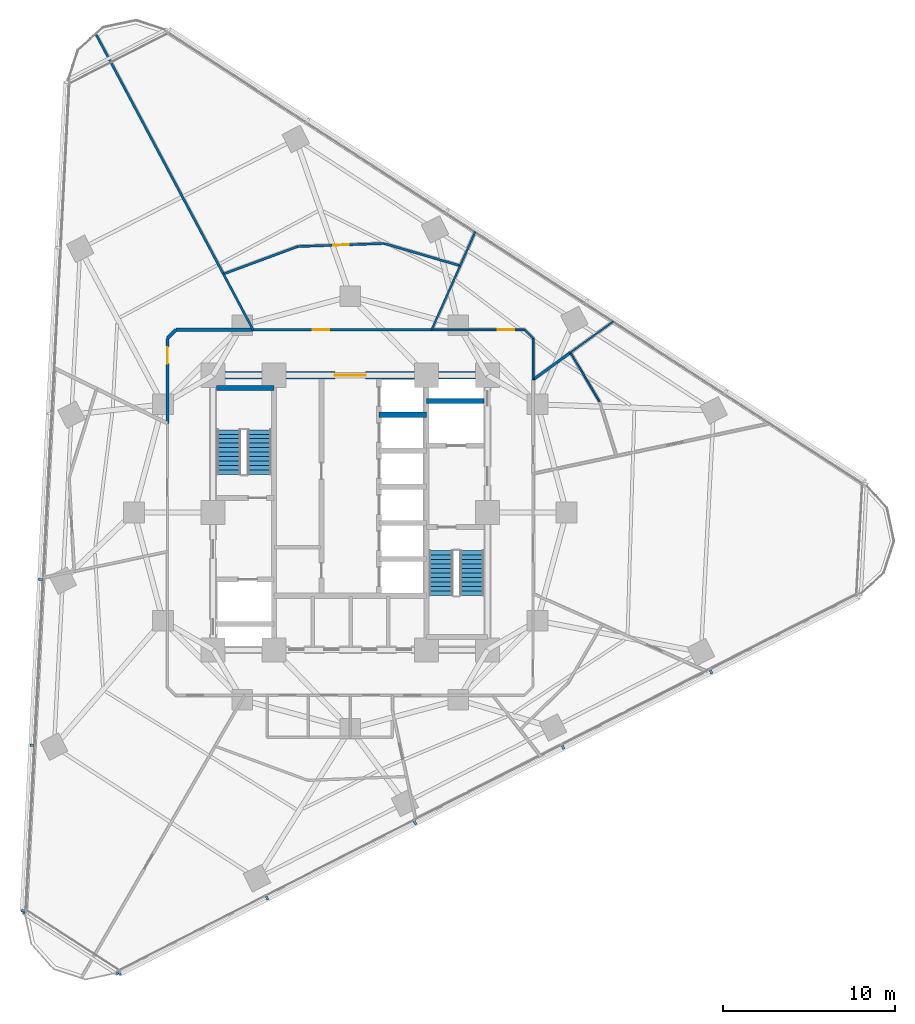
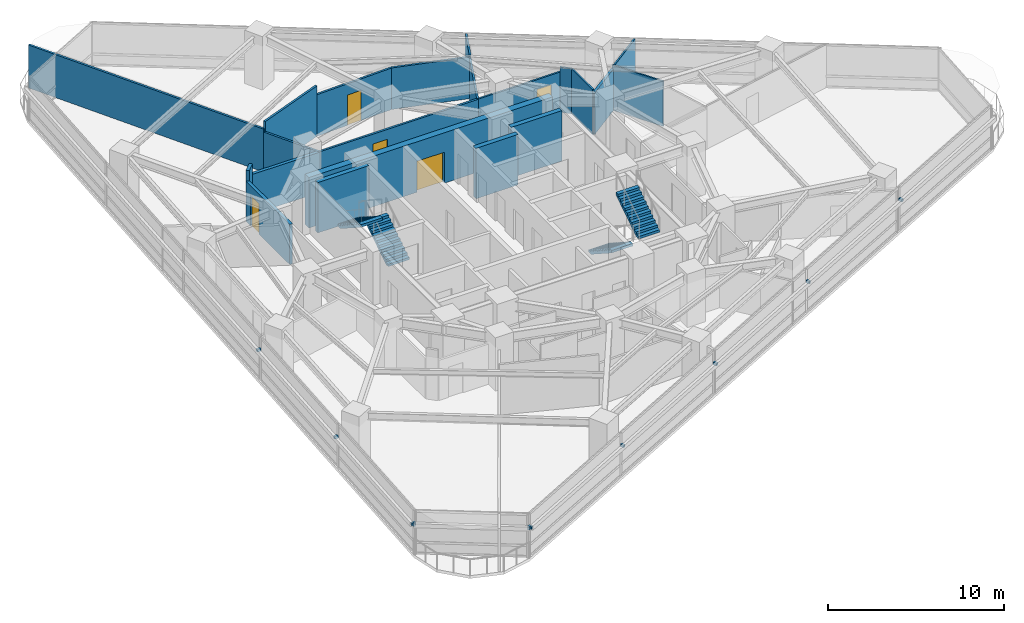
# One storey, part 10 of 14: 21 walls, 10 discrete accessories, 5 doors, 4 stair flights, 5 openings, 2 elements without a shape of their own.
"""IFC4 building model written with IfcOpenShell, lengths in metres."""

from ifc_helpers import new_model, si_unit, direction, frame, frame_2d, origin, origin_2d, place, context, subcontext, project, spatial, polyline, rectangle, outline, extrude, material, layer, layer_set, type_object, element, fill, aggregate, save


model = new_model("IFC4")

# Units and contexts
model_context = context("Model", 3, precision=1e-05, world=origin(), true_north=direction((0.0, 1.0)))
body_context = subcontext(model_context, "Body", "Model", "MODEL_VIEW")
ifc_project = project(units=[si_unit("LENGTHUNIT", "METRE"), si_unit("AREAUNIT", "SQUARE_METRE"), si_unit("VOLUMEUNIT", "CUBIC_METRE"), si_unit("PLANEANGLEUNIT", "RADIAN"), si_unit("MASSUNIT", "GRAM", prefix="KILO")], contexts=[model_context])

# Site, building, storey
site_placement = place(None, origin())
site = spatial("IfcSite", under=ifc_project, at=site_placement, CompositionType="ELEMENT")
building_placement = place(site_placement, origin())
building = spatial("IfcBuilding", under=site, at=building_placement, Name="Terralouvre Media Tower", CompositionType="ELEMENT")
storey_placement = place(building_placement, frame((0.0, 0.0, 142.10009765625)))
storey = spatial("IfcBuildingStorey", under=building, at=storey_placement, Name="L36", CompositionType="ELEMENT", Elevation=142.10009765625)

# Walls
ifc_material_1 = material(Name="Concrete C50/60", Category="concrete")
ifc_layer_1 = layer(ifc_material_1, 0.300048828125, Name="Core Internal Shaft Wall CW-300")
ifc_layer_set_1 = layer_set([ifc_layer_1], Name="Concrete C50/60")
wall_type_1 = type_object("IfcWallType", Name="Core Internal Shaft Wall CW-300", PredefinedType="SHEAR", material=ifc_layer_set_1)
for number, where, z_axis, x_axis, name in (
    (1, (-7.7900390625, 7.260009765625, 0.0), (0.0, 0.0, 1.0), (1.0, 0.0, 0.0), "L36 Core Shaft Wall ST1F"),
    (2, (4.449951171875, 6.5, 0.0), (0.0, 0.0, 1.0), (1.0, 0.0, 0.0), "L36 Core Shaft Wall FF2N"),
):
    element("IfcWall", number, at=place(storey_placement, frame(where, z_axis=z_axis, x_axis=x_axis)), inside=storey, type_object=wall_type_1, Name=name, PredefinedType="SHEAR", context=body_context, shape_type="SweptSolid", body=[
        extrude(rectangle(XDim=3.340087890625, YDim=0.300048828125, at=frame_2d((1.669921875, 0.0))), origin(), (0.0, 0.0, 1.0), 3.5),
    ])
wall_1_placement = place(storey_placement, frame((1.679931640625, 5.699951171875, 0.0), z_axis=(0.0, 0.0, 1.0), x_axis=(1.0, 0.0, 0.0)))
element("IfcWall", 3, at=wall_1_placement, inside=storey, type_object=wall_type_1, Name="L36 Core Shaft Wall PLMD2", PredefinedType="SHEAR", context=body_context, shape_type="SweptSolid", body=[
    extrude(rectangle(XDim=2.77001953125, YDim=0.300048828125, at=frame_2d((1.385009765625, 0.0))), origin(), (0.0, 0.0, 1.0), 3.5),
])

# Wall, opening, door
ifc_material_2 = material(Name="Concrete C60/75", Category="concrete")
ifc_layer_2 = layer(ifc_material_2, 0.419921875, Name="Core Reinforced Concrete Shear Wall CW-420")
ifc_layer_set_2 = layer_set([ifc_layer_2], Name="Concrete C60/75")
wall_type_2 = type_object("IfcWallType", Name="Core Reinforced Concrete Shear Wall CW-420", PredefinedType="SHEAR", material=ifc_layer_set_2)
wall_2_placement = place(storey_placement, frame((-8.0, 8.0, 0.0), z_axis=(0.0, 0.0, 1.0), x_axis=(1.0, 0.0, 0.0)))
wall_2 = element("IfcWall", 4, at=wall_2_placement, inside=storey, type_object=wall_type_2, Name="L36 N Core Shear Wall", PredefinedType="SHEAR", context=body_context, shape_type="SweptSolid", body=[
    extrude(rectangle(XDim=16.0, YDim=0.419921875, at=frame_2d((8.0, 0.0))), origin(), (0.0, 0.0, 1.0), 3.5),
])
opening_1_placement = place(wall_2_placement, frame((7.10009765625, 0.0, 0.0)))
opening_1 = element("IfcOpeningElement", 5, at=opening_1_placement, cuts=wall_2, Name="Opening FD-03", PredefinedType="OPENING", context=body_context, shape_type="SweptSolid", body=[
    extrude(rectangle(XDim=1.800048828125, YDim=2.14990234375, at=frame_2d((0.89990234375, 1.074951171875))), frame((0.0, 0.219970703125, 0.0), z_axis=(0.0, -1.0, 0.0), x_axis=(1.0, 0.0, 0.0)), (0.0, 0.0, 1.0), 0.43994140625),
])
ifc_material_3 = material(Name="Galvanised steel fire-resisting leaf", Category="steel")
door_type_1 = type_object("IfcDoorType", Name="Corridor Smoke-Control Double Door FD-03", OperationType="DOUBLE_DOOR_SINGLE_SWING", PredefinedType="DOOR", material=ifc_material_3)
door_1_placement = place(opening_1_placement, origin())
door_1 = element("IfcDoor", 6, at=door_1_placement, inside=storey, type_object=door_type_1, Name="L36 Central Lift Lobby Portal Door", OperationType="DOUBLE_DOOR_SINGLE_SWING", OverallHeight=2.14990234375, OverallWidth=1.800048828125, PredefinedType="DOOR", context=body_context, shape_type="SweptSolid", body=[
    extrude(rectangle(XDim=1.800048828125, YDim=2.14990234375, at=frame_2d((0.89990234375, 1.074951171875))), frame((0.0, 0.02490234375, 0.0), z_axis=(0.0, -1.0, 0.0), x_axis=(1.0, 0.0, 0.0)), (0.0, 0.0, 1.0), 0.050048828125),
])
fill(opening_1, door_1)

# Walls
ifc_material_4 = material(Name="Low-iron laminated double glazing with solar-control coating", Category="glass")
ifc_layer_3 = layer(ifc_material_4, 0.10009765625, Name="Demountable Glazed Office Partition PT-GL100")
ifc_layer_set_3 = layer_set([ifc_layer_3], Name="Low-iron laminated double glazing with solar-control coating")
wall_type_3 = type_object("IfcWallType", Name="Demountable Glazed Office Partition PT-GL100", PredefinedType="MOVABLE", material=ifc_layer_set_3)
wall_3_placement = place(storey_placement, frame((12.827880859375, 9.320068359375, 0.0), z_axis=(0.0, 0.0, 1.0), x_axis=(0.511214896397, -0.859452924657, 0.0)))
element("IfcWall", 7, at=wall_3_placement, inside=storey, type_object=wall_type_3, Name="L36 Interior Partition 046", PredefinedType="MOVABLE", context=body_context, shape_type="SweptSolid", body=[
    extrude(rectangle(XDim=3.319580078125, YDim=0.10009765625, at=frame_2d((1.65966796875, 0.0))), origin(), (0.0, 0.0, 1.0), 3.125),
])
wall_4_placement = place(storey_placement, frame((15.331298828125, 11.138916015625, 0.0), z_axis=(0.0, 0.0, 1.0), x_axis=(-0.809015759361, -0.58778695214, 0.0)))
element("IfcWall", 8, at=wall_4_placement, inside=storey, type_object=wall_type_3, Name="L36 Interior Partition 048", PredefinedType="MOVABLE", context=body_context, shape_type="SweptSolid", body=[
    extrude(rectangle(XDim=3.094482421875, YDim=0.10009765625, at=frame_2d((1.54736328125, 0.0))), origin(), (0.0, 0.0, 1.0), 2.98486328125),
])
ifc_material_5 = material(Name="Fire-rated gypsum board drywall partition")
ifc_layer_4 = layer(ifc_material_5, 0.199951171875, Name="Fire-Rated Shaft and Lobby Partition FW-200")
ifc_layer_set_4 = layer_set([ifc_layer_4], Name="Fire-rated gypsum board drywall partition")
wall_type_4 = type_object("IfcWallType", Name="Fire-Rated Shaft and Lobby Partition FW-200", PredefinedType="SOLIDWALL", material=ifc_layer_set_4)
wall_5_placement = place(storey_placement, frame((-5.6630859375, 10.64990234375, 0.0), z_axis=(0.0, 0.0, 1.0), x_axis=(-1.0, 0.0, 0.0)))
element("IfcWall", 9, at=wall_5_placement, inside=storey, type_object=wall_type_4, Name="L36 Interior Partition 018", PredefinedType="SOLIDWALL", context=body_context, shape_type="SweptSolid", body=[
    extrude(rectangle(XDim=4.48681640625, YDim=0.199951171875, at=frame_2d((2.243408203125, 0.0))), origin(), (0.0, 0.0, 1.0), 2.784912109375),
])
wall_6_placement = place(storey_placement, frame((-10.14990234375, 10.64990234375, 0.0), z_axis=(0.0, 0.0, 1.0), x_axis=(-0.707106781187, -0.707106781187, 0.0)))
element("IfcWall", 10, at=wall_6_placement, inside=storey, type_object=wall_type_4, Name="L36 Interior Partition 019", PredefinedType="SOLIDWALL", context=body_context, shape_type="SweptSolid", body=[
    extrude(rectangle(XDim=0.70703125, YDim=0.199951171875, at=frame_2d((0.353515625, 0.0))), origin(), (0.0, 0.0, 1.0), 3.5),
])

# Wall, opening, door
wall_7_placement = place(storey_placement, frame((-10.64990234375, 10.14990234375, 0.0), z_axis=(0.0, 0.0, 1.0), x_axis=(0.0, -1.0, 0.0)))
wall_7 = element("IfcWall", 11, at=wall_7_placement, inside=storey, type_object=wall_type_4, Name="L36 Interior Partition 020", PredefinedType="SOLIDWALL", context=body_context, shape_type="SweptSolid", body=[
    extrude(rectangle(XDim=4.955810546875, YDim=0.199951171875, at=frame_2d((2.47802734375, 0.0))), origin(), (0.0, 0.0, 1.0), 2.784912109375),
])
opening_2_placement = place(wall_7_placement, frame((0.51611328125, 0.0, 0.0)))
opening_2 = element("IfcOpeningElement", 12, at=opening_2_placement, cuts=wall_7, Name="Opening FD-02-95X210", PredefinedType="OPENING", context=body_context, shape_type="SweptSolid", body=[
    extrude(rectangle(XDim=0.949951171875, YDim=2.10009765625, at=frame_2d((0.47509765625, 1.050048828125))), frame((0.0, 0.10986328125, 0.0), z_axis=(0.0, -1.0, 0.0), x_axis=(1.0, 0.0, 0.0)), (0.0, 0.0, 1.0), 0.219970703125),
])
ifc_material_6 = material(Name="Galvanised steel fire-resisting leaf", Category="steel")
door_type_2 = type_object("IfcDoorType", Name="Plant and Riser Fire Door FD-02 (950x2100)", OperationType="NOTDEFINED", PredefinedType="DOOR", material=ifc_material_6)
door_2_placement = place(opening_2_placement, origin())
door_2 = element("IfcDoor", 13, at=door_2_placement, inside=storey, type_object=door_type_2, Name="L36 IDF Comms Server Room 13 Door", OperationType="SINGLE_SWING_RIGHT", OverallHeight=2.10009765625, OverallWidth=0.949951171875, PredefinedType="DOOR", context=body_context, shape_type="SweptSolid", body=[
    extrude(rectangle(XDim=0.949951171875, YDim=2.10009765625, at=frame_2d((0.47509765625, 1.050048828125))), frame((0.0, 0.02490234375, 0.0), z_axis=(0.0, -1.0, 0.0), x_axis=(1.0, 0.0, 0.0)), (0.0, 0.0, 1.0), 0.050048828125),
])
fill(opening_2, door_2)

ifc_material_7 = material(Name="Fire-rated gypsum board drywall partition")
ifc_layer_5 = layer(ifc_material_7, 0.135009765625, Name="Newsroom Acoustic Partition PT-135")
ifc_layer_set_5 = layer_set([ifc_layer_5], Name="Fire-rated gypsum board drywall partition")
wall_type_5 = type_object("IfcWallType", Name="Newsroom Acoustic Partition PT-135", PredefinedType="PARTITIONING", material=ifc_layer_set_5)
wall_8_placement = place(storey_placement, frame((4.741943359375, 10.64990234375, 0.0), z_axis=(0.0, 0.0, 1.0), x_axis=(-1.0, 0.0, 0.0)))
wall_8 = element("IfcWall", 14, at=wall_8_placement, inside=storey, type_object=wall_type_5, Name="L36 Interior Partition 017", PredefinedType="PARTITIONING", context=body_context, shape_type="SweptSolid", body=[
    extrude(rectangle(XDim=10.405029296875, YDim=0.135009765625, at=frame_2d((5.20263671875, 0.0))), origin(), (0.0, 0.0, 1.0), 2.784912109375),
])
opening_3_placement = place(wall_8_placement, frame((5.97607421875, 0.0, 0.0)))
opening_3 = element("IfcOpeningElement", 15, at=opening_3_placement, cuts=wall_8, Name="Opening ID-02-95X210", PredefinedType="OPENING", context=body_context, shape_type="SweptSolid", body=[
    extrude(rectangle(XDim=0.949951171875, YDim=2.10009765625, at=frame_2d((0.47509765625, 1.050048828125))), frame((0.0, 0.077392578125, 0.0), z_axis=(0.0, -1.0, 0.0), x_axis=(1.0, 0.0, 0.0)), (0.0, 0.0, 1.0), 0.155029296875),
])
ifc_material_8 = material(Name="Engineered hardwood acoustic timber leaf", Category="wood")
door_type_3 = type_object("IfcDoorType", Name="Office and Meeting Room Door ID-02 (950x2100)", OperationType="NOTDEFINED", PredefinedType="DOOR", material=ifc_material_8)
door_3_placement = place(opening_3_placement, origin())
door_3 = element("IfcDoor", 16, at=door_3_placement, inside=storey, type_object=door_type_3, Name="L36 Press Tape Archive Storage 11 Door", OperationType="SINGLE_SWING_LEFT", OverallHeight=2.10009765625, OverallWidth=0.949951171875, PredefinedType="DOOR", context=body_context, shape_type="SweptSolid", body=[
    extrude(rectangle(XDim=0.949951171875, YDim=2.10009765625, at=frame_2d((0.47509765625, 1.050048828125))), frame((0.0, 0.02490234375, 0.0), z_axis=(0.0, -1.0, 0.0), x_axis=(1.0, 0.0, 0.0)), (0.0, 0.0, 1.0), 0.050048828125),
])
fill(opening_3, door_3)

# Wall
wall_9_placement = place(storey_placement, frame((6.402099609375, 14.3779296875, 0.0), z_axis=(0.0, 0.0, 1.0), x_axis=(-0.959611810986, 0.2813275177, 0.0)))
element("IfcWall", 17, at=wall_9_placement, inside=storey, type_object=wall_type_5, Name="L36 Interior Partition 052", PredefinedType="PARTITIONING", context=body_context, shape_type="SweptSolid", body=[
    extrude(rectangle(XDim=4.61767578125, YDim=0.135009765625, at=frame_2d((2.308837890625, 0.0))), origin(), (0.0, 0.0, 1.0), 2.885009765625),
])

# Wall, opening, door
wall_10_placement = place(storey_placement, frame((1.970947265625, 15.677001953125, 0.0), z_axis=(0.0, 0.0, 1.0), x_axis=(-0.999388477448, -0.034966714817, 0.0)))
wall_10 = element("IfcWall", 18, at=wall_10_placement, inside=storey, type_object=wall_type_5, Name="L36 Interior Partition 053", PredefinedType="PARTITIONING", context=body_context, shape_type="SweptSolid", body=[
    extrude(rectangle(XDim=5.0341796875, YDim=0.135009765625, at=frame_2d((2.51708984375, 0.0))), origin(), (0.0, 0.0, 1.0), 2.885009765625),
])
opening_4_placement = place(wall_10_placement, frame((2.056884765625, 0.0, 0.0)))
opening_4 = element("IfcOpeningElement", 19, at=opening_4_placement, cuts=wall_10, Name="Opening ID-03-92X210", PredefinedType="OPENING", context=body_context, shape_type="SweptSolid", body=[
    extrude(rectangle(XDim=0.919921875, YDim=2.10009765625, at=frame_2d((0.4599609375, 1.050048828125))), frame((0.0, 0.077392578125, 0.0), z_axis=(0.0, -1.0, 0.0), x_axis=(1.0, 0.0, 0.0)), (0.0, 0.0, 1.0), 0.155029296875),
])
ifc_material_9 = material(Name="Engineered hardwood acoustic timber leaf", Category="wood")
door_type_4 = type_object("IfcDoorType", Name="Accessible Restroom and Suite Door ID-03 (920x2100)", OperationType="NOTDEFINED", PredefinedType="DOOR", material=ifc_material_9)
door_4_placement = place(opening_4_placement, origin())
door_4 = element("IfcDoor", 20, at=door_4_placement, inside=storey, type_object=door_type_4, Name="L36 Anchor Green Lounge 12 Door", OperationType="SINGLE_SWING_RIGHT", OverallHeight=2.10009765625, OverallWidth=0.919921875, PredefinedType="DOOR", context=body_context, shape_type="SweptSolid", body=[
    extrude(rectangle(XDim=0.919921875, YDim=2.10009765625, at=frame_2d((0.4599609375, 1.050048828125))), frame((0.0, 0.02490234375, 0.0), z_axis=(0.0, -1.0, 0.0), x_axis=(1.0, 0.0, 0.0)), (0.0, 0.0, 1.0), 0.050048828125),
])
fill(opening_4, door_4)

# Walls
wall_11_placement = place(storey_placement, frame((-3.06005859375, 15.5009765625, 0.0), z_axis=(0.0, 0.0, 1.0), x_axis=(-0.937697715957, -0.347452145611, 0.0)))
element("IfcWall", 21, at=wall_11_placement, inside=storey, type_object=wall_type_5, Name="L36 Interior Partition 054", PredefinedType="PARTITIONING", context=body_context, shape_type="SweptSolid", body=[
    extrude(rectangle(XDim=4.616455078125, YDim=0.135009765625, at=frame_2d((2.30810546875, 0.0))), origin(), (0.0, 0.0, 1.0), 3.5),
])
wall_12_placement = place(storey_placement, frame((-7.388916015625, 13.89697265625, 0.0), z_axis=(0.0, 0.0, 1.0), x_axis=(0.469329971657, -0.883022863636, 0.0)))
element("IfcWall", 22, at=wall_12_placement, inside=storey, type_object=wall_type_5, Name="L36 Interior Partition 055", PredefinedType="PARTITIONING", context=body_context, shape_type="SweptSolid", body=[
    extrude(rectangle(XDim=3.67724609375, YDim=0.135009765625, at=frame_2d((1.838623046875, 0.0))), origin(), (0.0, 0.0, 1.0), 2.784912109375),
])
wall_13_placement = place(storey_placement, frame((-14.797119140625, 27.828857421875, 0.0), z_axis=(0.0, 0.0, 1.0), x_axis=(0.469495702595, -0.882934757072, 0.0)))
element("IfcWall", 23, at=wall_13_placement, inside=storey, type_object=wall_type_5, Name="L36 Interior Partition 056", PredefinedType="PARTITIONING", context=body_context, shape_type="SweptSolid", body=[
    extrude(rectangle(XDim=15.779052734375, YDim=0.135009765625, at=frame_2d((7.8896484375, 0.0))), origin(), (0.0, 0.0, 1.0), 2.98486328125),
])
ifc_material_10 = material(Name="Fire-rated gypsum board drywall partition")
ifc_layer_6 = layer(ifc_material_10, 0.114990234375, Name="Restroom and Pantry Partition PT-115")
ifc_layer_set_6 = layer_set([ifc_layer_6], Name="Fire-rated gypsum board drywall partition")
wall_type_6 = type_object("IfcWallType", Name="Restroom and Pantry Partition PT-115", PredefinedType="PARTITIONING", material=ifc_layer_set_6)
wall_14_placement = place(storey_placement, frame((10.64990234375, 7.738037109375, 0.0), z_axis=(0.0, 0.0, 1.0), x_axis=(0.0, 1.0, 0.0)))
element("IfcWall", 24, at=wall_14_placement, inside=storey, type_object=wall_type_6, Name="L36 Interior Partition 014", PredefinedType="PARTITIONING", context=body_context, shape_type="SweptSolid", body=[
    extrude(rectangle(XDim=2.411865234375, YDim=0.114990234375, at=frame_2d((1.2060546875, 0.0))), origin(), (0.0, 0.0, 1.0), 3.125),
])
wall_15_placement = place(storey_placement, frame((10.64990234375, 10.14990234375, 0.0), z_axis=(0.0, 0.0, 1.0), x_axis=(-0.707106781187, 0.707106781187, 0.0)))
element("IfcWall", 25, at=wall_15_placement, inside=storey, type_object=wall_type_6, Name="L36 Interior Partition 015", PredefinedType="PARTITIONING", context=body_context, shape_type="SweptSolid", body=[
    extrude(rectangle(XDim=0.70703125, YDim=0.114990234375, at=frame_2d((0.353515625, 0.0))), origin(), (0.0, 0.0, 1.0), 3.125),
])

# Wall, opening, door
wall_16_placement = place(storey_placement, frame((10.14990234375, 10.64990234375, 0.0), z_axis=(0.0, 0.0, 1.0), x_axis=(-1.0, 0.0, 0.0)))
wall_16 = element("IfcWall", 26, at=wall_16_placement, inside=storey, type_object=wall_type_6, Name="L36 Interior Partition 016", PredefinedType="PARTITIONING", context=body_context, shape_type="SweptSolid", body=[
    extrude(rectangle(XDim=5.407958984375, YDim=0.114990234375, at=frame_2d((2.7041015625, 0.0))), origin(), (0.0, 0.0, 1.0), 2.784912109375),
])
opening_5_placement = place(wall_16_placement, frame((0.606689453125, 0.0, 0.0)))
opening_5 = element("IfcOpeningElement", 27, at=opening_5_placement, cuts=wall_16, Name="Opening SD-01-95X210", PredefinedType="OPENING", context=body_context, shape_type="SweptSolid", body=[
    extrude(rectangle(XDim=0.949951171875, YDim=2.10009765625, at=frame_2d((0.47509765625, 1.050048828125))), frame((0.0, 0.0673828125, 0.0), z_axis=(0.0, -1.0, 0.0), x_axis=(1.0, 0.0, 0.0)), (0.0, 0.0, 1.0), 0.135009765625),
])
ifc_material_11 = material(Name="Anodised extruded aluminium 6063-T6", Category="aluminium")
door_type_5 = type_object("IfcDoorType", Name="Pantry Pocket Sliding Door SD-01 (950x2100)", OperationType="SLIDING_TO_LEFT", PredefinedType="DOOR", material=ifc_material_11)
door_5_placement = place(opening_5_placement, origin())
door_5 = element("IfcDoor", 28, at=door_5_placement, inside=storey, type_object=door_type_5, Name="L36 Newsroom Tea Pantry 10 Door", OperationType="SLIDING_TO_LEFT", OverallHeight=2.10009765625, OverallWidth=0.949951171875, PredefinedType="DOOR", context=body_context, shape_type="SweptSolid", body=[
    extrude(rectangle(XDim=0.949951171875, YDim=2.10009765625, at=frame_2d((0.47509765625, 1.050048828125))), frame((0.0, 0.02490234375, 0.0), z_axis=(0.0, -1.0, 0.0), x_axis=(1.0, 0.0, 0.0)), (0.0, 0.0, 1.0), 0.050048828125),
])
fill(opening_5, door_5)

# Walls
wall_17_placement = place(storey_placement, frame((6.402099609375, 14.3779296875, 0.0), z_axis=(0.0, 0.0, 1.0), x_axis=(-0.406804441844, -0.913515268671, 0.0)))
element("IfcWall", 29, at=wall_17_placement, inside=storey, type_object=wall_type_6, Name="L36 Interior Partition 050", PredefinedType="PARTITIONING", context=body_context, shape_type="SweptSolid", body=[
    extrude(rectangle(XDim=4.0810546875, YDim=0.114990234375, at=frame_2d((2.04052734375, 0.0))), origin(), (0.0, 0.0, 1.0), 2.784912109375),
])
wall_18_placement = place(storey_placement, frame((7.285400390625, 16.364013671875, 0.0), z_axis=(0.0, 0.0, 1.0), x_axis=(-0.406367721617, -0.913709622817, 0.0)))
element("IfcWall", 30, at=wall_18_placement, inside=storey, type_object=wall_type_6, Name="L36 Interior Partition 051", PredefinedType="PARTITIONING", context=body_context, shape_type="SweptSolid", body=[
    extrude(rectangle(XDim=2.173583984375, YDim=0.114990234375, at=frame_2d((1.0869140625, 0.0))), origin(), (0.0, 0.0, 1.0), 2.98486328125),
])
ifc_material_12 = material(Name="Fire-rated gypsum board drywall partition")
ifc_layer_7 = layer(ifc_material_12, 0.159912109375, Name="Studio Acoustic Rated Partition PT-160")
ifc_layer_set_7 = layer_set([ifc_layer_7], Name="Fire-rated gypsum board drywall partition")
wall_type_7 = type_object("IfcWallType", Name="Studio Acoustic Rated Partition PT-160", PredefinedType="PARTITIONING", material=ifc_layer_set_7)
wall_19_placement = place(storey_placement, frame((12.827880859375, 9.320068359375, 0.0), z_axis=(0.0, 0.0, 1.0), x_axis=(-0.809081072469, -0.587697046251, 0.0)))
element("IfcWall", 31, at=wall_19_placement, inside=storey, type_object=wall_type_7, Name="L36 Interior Partition 049", PredefinedType="PARTITIONING", context=body_context, shape_type="SweptSolid", body=[
    extrude(rectangle(XDim=2.69189453125, YDim=0.159912109375, at=frame_2d((1.345947265625, 0.0))), origin(), (0.0, 0.0, 1.0), 2.885009765625),
])

# Stair, stair flights
ifc_material_13 = material(Name="Concrete C45/55", Category="concrete")
stair_type_1 = type_object("IfcStairType", Name="Dogleg Stair Assembly ST-01", PredefinedType="HALF_TURN_STAIR", material=ifc_material_13)
stair_1_placement = place(storey_placement, origin())
stair_1 = element("IfcStair", 32, at=stair_1_placement, inside=storey, type_object=stair_type_1, Name="L36 Core Pressurised Exit Stair ST-01", PredefinedType="HALF_TURN_STAIR")
ifc_material_14 = material(Name="Concrete C45/55", Category="concrete")
stair_flight_type = type_object("IfcStairFlightType", Name="Reinforced Concrete Stair Flight SF-RC1", PredefinedType="STRAIGHT", material=ifc_material_14)
stair_flight_1_placement = place(storey_placement, frame((-5.300048828125, 2.219970703125, 0.0), z_axis=(0.0, 0.0, 1.0), x_axis=(0.0, 1.0, 0.0)))
stair_flight_1 = element("IfcStairFlight", 33, at=stair_flight_1_placement, type_object=stair_flight_type, Name="ST-01 flight 1", NumberOfRisers=11, NumberOfTreads=10, PredefinedType="STRAIGHT", RiserHeight=0.168181818, TreadLength=0.26, context=body_context, shape_type="SweptSolid", body=[
    extrude(outline(polyline([(0.0, 0.0), (0.0, 0.168212890625), (0.260009765625, 0.168212890625), (0.260009765625, 0.33642578125), (0.52001953125, 0.33642578125), (0.52001953125, 0.504638671875), (0.780029296875, 0.504638671875), (0.780029296875, 0.672607421875), (1.0400390625, 0.672607421875), (1.0400390625, 0.8408203125), (1.300048828125, 0.8408203125), (1.300048828125, 1.009033203125), (1.56005859375, 1.009033203125), (1.56005859375, 1.17724609375), (1.820068359375, 1.17724609375), (1.820068359375, 1.345458984375), (2.080078125, 1.345458984375), (2.080078125, 1.513671875), (2.340087890625, 1.513671875), (2.340087890625, 1.681884765625), (2.60009765625, 1.681884765625), (2.60009765625, 1.85009765625), (2.60009765625, 1.503173828125), (0.27587890625, 0.0), (0.0, 0.0)])), frame((0.0, 0.699951171875, 0.0), z_axis=(0.0, -1.0, 0.0), x_axis=(1.0, 0.0, 0.0)), (0.0, 0.0, 1.0), 1.39990234375),
])
stair_flight_2_placement = place(storey_placement, frame((-7.080078125, 4.820068359375, 1.849853515625), z_axis=(0.0, 0.0, 1.0), x_axis=(0.0, -1.0, 0.0)))
stair_flight_2 = element("IfcStairFlight", 34, at=stair_flight_2_placement, type_object=stair_flight_type, Name="ST-01 flight 2", NumberOfRisers=11, NumberOfTreads=10, PredefinedType="STRAIGHT", RiserHeight=0.168181818, TreadLength=0.26, context=body_context, shape_type="SweptSolid", body=[
    extrude(outline(polyline([(0.0, 0.0), (0.0, 0.168212890625), (0.260009765625, 0.168212890625), (0.260009765625, 0.33642578125), (0.52001953125, 0.33642578125), (0.52001953125, 0.504638671875), (0.780029296875, 0.504638671875), (0.780029296875, 0.672607421875), (1.0400390625, 0.672607421875), (1.0400390625, 0.8408203125), (1.300048828125, 0.8408203125), (1.300048828125, 1.009033203125), (1.56005859375, 1.009033203125), (1.56005859375, 1.17724609375), (1.820068359375, 1.17724609375), (1.820068359375, 1.345458984375), (2.080078125, 1.345458984375), (2.080078125, 1.513671875), (2.340087890625, 1.513671875), (2.340087890625, 1.681884765625), (2.60009765625, 1.681884765625), (2.60009765625, 1.85009765625), (2.60009765625, 1.503173828125), (0.27587890625, 0.0), (0.0, 0.0)])), frame((0.0, 0.699951171875, 0.0), z_axis=(0.0, -1.0, 0.0), x_axis=(1.0, 0.0, 0.0)), (0.0, 0.0, 1.0), 1.39990234375),
])
aggregate(stair_1, [stair_flight_1, stair_flight_2])

ifc_material_15 = material(Name="Concrete C45/55", Category="concrete")
stair_type_2 = type_object("IfcStairType", Name="Dogleg Stair Assembly ST-02", PredefinedType="HALF_TURN_STAIR", material=ifc_material_15)
stair_2_placement = place(storey_placement, origin())
stair_2 = element("IfcStair", 35, at=stair_2_placement, inside=storey, type_object=stair_type_2, Name="L36 Core Pressurised Exit Stair ST-02", PredefinedType="HALF_TURN_STAIR")
stair_flight_3_placement = place(storey_placement, frame((5.300048828125, -2.219970703125, 0.0), z_axis=(0.0, 0.0, 1.0), x_axis=(0.0, -1.0, 0.0)))
stair_flight_3 = element("IfcStairFlight", 36, at=stair_flight_3_placement, type_object=stair_flight_type, Name="ST-02 flight 1", NumberOfRisers=11, NumberOfTreads=10, PredefinedType="STRAIGHT", RiserHeight=0.168181818, TreadLength=0.26, context=body_context, shape_type="SweptSolid", body=[
    extrude(outline(polyline([(0.0, 0.0), (0.0, 0.168212890625), (0.260009765625, 0.168212890625), (0.260009765625, 0.33642578125), (0.52001953125, 0.33642578125), (0.52001953125, 0.504638671875), (0.780029296875, 0.504638671875), (0.780029296875, 0.672607421875), (1.0400390625, 0.672607421875), (1.0400390625, 0.8408203125), (1.300048828125, 0.8408203125), (1.300048828125, 1.009033203125), (1.56005859375, 1.009033203125), (1.56005859375, 1.17724609375), (1.820068359375, 1.17724609375), (1.820068359375, 1.345458984375), (2.080078125, 1.345458984375), (2.080078125, 1.513671875), (2.340087890625, 1.513671875), (2.340087890625, 1.681884765625), (2.60009765625, 1.681884765625), (2.60009765625, 1.85009765625), (2.60009765625, 1.503173828125), (0.27587890625, 0.0), (0.0, 0.0)])), frame((0.0, 0.699951171875, 0.0), z_axis=(0.0, -1.0, 0.0), x_axis=(1.0, 0.0, 0.0)), (0.0, 0.0, 1.0), 1.39990234375),
])
stair_flight_4_placement = place(storey_placement, frame((7.080078125, -4.820068359375, 1.849853515625), z_axis=(0.0, 0.0, 1.0), x_axis=(0.0, 1.0, 0.0)))
stair_flight_4 = element("IfcStairFlight", 37, at=stair_flight_4_placement, type_object=stair_flight_type, Name="ST-02 flight 2", NumberOfRisers=11, NumberOfTreads=10, PredefinedType="STRAIGHT", RiserHeight=0.168181818, TreadLength=0.26, context=body_context, shape_type="SweptSolid", body=[
    extrude(outline(polyline([(0.0, 0.0), (0.0, 0.168212890625), (0.260009765625, 0.168212890625), (0.260009765625, 0.33642578125), (0.52001953125, 0.33642578125), (0.52001953125, 0.504638671875), (0.780029296875, 0.504638671875), (0.780029296875, 0.672607421875), (1.0400390625, 0.672607421875), (1.0400390625, 0.8408203125), (1.300048828125, 0.8408203125), (1.300048828125, 1.009033203125), (1.56005859375, 1.009033203125), (1.56005859375, 1.17724609375), (1.820068359375, 1.17724609375), (1.820068359375, 1.345458984375), (2.080078125, 1.345458984375), (2.080078125, 1.513671875), (2.340087890625, 1.513671875), (2.340087890625, 1.681884765625), (2.60009765625, 1.681884765625), (2.60009765625, 1.85009765625), (2.60009765625, 1.503173828125), (0.27587890625, 0.0), (0.0, 0.0)])), frame((0.0, 0.699951171875, 0.0), z_axis=(0.0, -1.0, 0.0), x_axis=(1.0, 0.0, 0.0)), (0.0, 0.0, 1.0), 1.39990234375),
])
aggregate(stair_2, [stair_flight_3, stair_flight_4])

# Discrete accessories
ifc_material_16 = material(Name="Anodised extruded aluminium 6063-T6", Category="aluminium")
discrete_accessory_type = type_object("IfcDiscreteAccessoryType", Name="Mullion Stand-Off Baguette Fixing Bracket BK-01", PredefinedType="BRACKET", material=ifc_material_16)
for number, where, z_axis, x_axis, name in (
    (38, (-13.442626953125, -26.840087890625, 2.07373046875), (0.0, 0.0, 1.0), (0.891006501178, 0.4539905449, 0.0), "CW-L36-F0 Baguette Outrigger Bracket 1.01"),
    (39, (-4.85107421875, -22.46240234375, 2.07373046875), (0.0, 0.0, 1.0), (0.891006501178, 0.4539905449, 0.0), "CW-L36-F0 Baguette Outrigger Bracket 1.02"),
    (40, (3.77392578125, -18.06787109375, 2.07373046875), (0.0, 0.0, 1.0), (0.891006501178, 0.4539905449, 0.0), "CW-L36-F0 Baguette Outrigger Bracket 1.03"),
    (41, (12.39892578125, -13.673095703125, 2.07373046875), (0.0, 0.0, 1.0), (0.891006501178, 0.4539905449, 0.0), "CW-L36-F0 Baguette Outrigger Bracket 1.04"),
    (42, (21.02392578125, -9.278564453125, 2.07373046875), (0.0, 0.0, 1.0), (0.891006501178, 0.4539905449, 0.0), "CW-L36-F0 Baguette Outrigger Bracket 1.05"),
    (43, (-18.040771484375, -3.901123046875, 2.07373046875), (0.0, 0.0, 1.0), (-0.052335949864, -0.998629535089, 0.0), "CW-L36-F2 Baguette Outrigger Bracket 1.04"),
    (44, (-18.54736328125, -13.56787109375, 2.07373046875), (0.0, 0.0, 1.0), (-0.052335949864, -0.998629535089, 0.0), "CW-L36-F2 Baguette Outrigger Bracket 1.05"),
    (45, (-19.052001953125, -23.197265625, 2.07373046875), (0.0, 0.0, 1.0), (-0.052335949864, -0.998629535089, 0.0), "CW-L36-F2 Baguette Outrigger Bracket 1.06"),
    (46, (-18.993408203125, -23.27392578125, 2.07373046875), (0.0, 0.0, 1.0), (0.838670390568, -0.544639308152, 0.0), "CW-L36-C0 Baguette Outrigger Bracket 1.01"),
    (47, (-13.536376953125, -26.81787109375, 2.07373046875), (0.0, 0.0, 1.0), (0.838670390568, -0.544639308152, 0.0), "CW-L36-C0 Baguette Outrigger Bracket 1.02"),
):
    element("IfcDiscreteAccessory", number, at=place(storey_placement, frame(where, z_axis=z_axis, x_axis=x_axis)), inside=storey, type_object=discrete_accessory_type, Name=name, PredefinedType="BRACKET", context=body_context, shape_type="SweptSolid", body=[
        extrude(rectangle(XDim=0.139892578125, YDim=0.239990234375, at=origin_2d()), origin(), (0.0, 0.0, 1.0), 0.179931640625),
    ])

save(model, "model.ifc")
